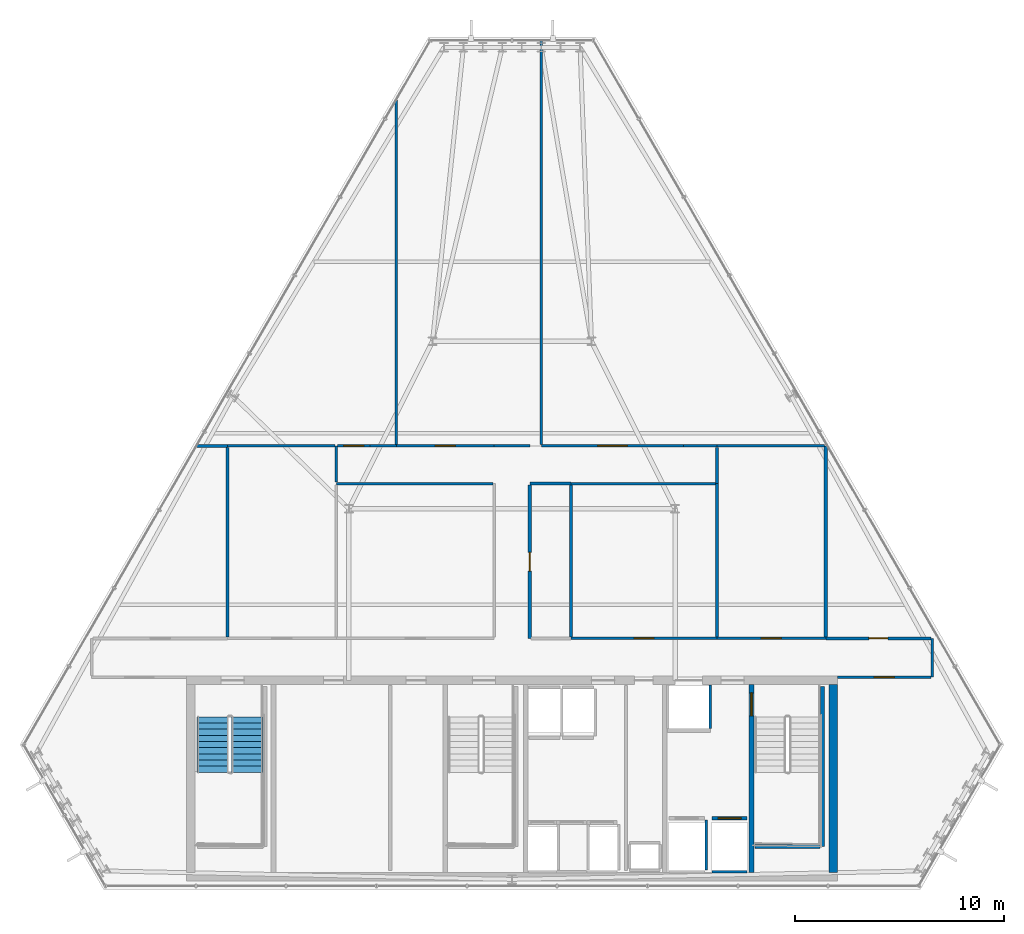
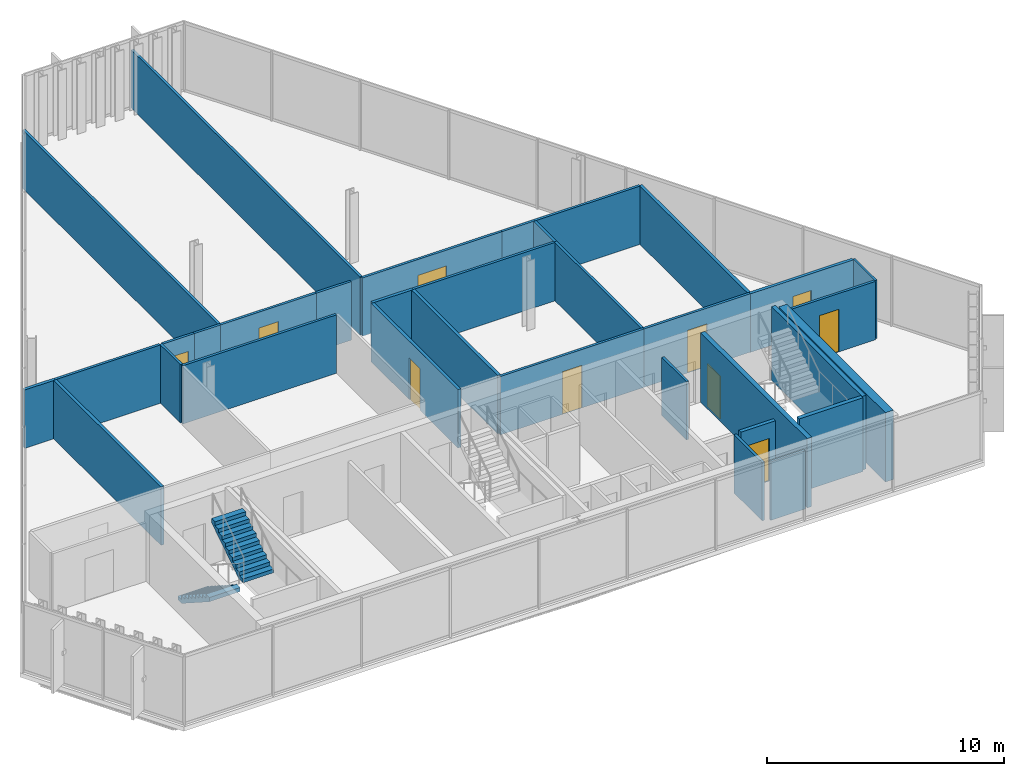
# One storey, part 25 of 30: 34 walls, 10 doors, 2 stair flights, 10 openings, 1 element without a shape of its own.
"""IFC4 building model written with IfcOpenShell, lengths in metres."""

from ifc_helpers import new_model, si_unit, direction, frame, frame_2d, origin, place, context, subcontext, project, spatial, polyline, rectangle, outline, extrude, material, layer, layer_set, type_object, element, fill, aggregate, save


model = new_model("IFC4")

# Units and contexts
model_context = context("Model", 3, precision=1e-05, world=origin(), true_north=direction((0.0, 1.0)))
body_context = subcontext(model_context, "Body", "Model", "MODEL_VIEW")
ifc_project = project(units=[si_unit("LENGTHUNIT", "METRE"), si_unit("AREAUNIT", "SQUARE_METRE"), si_unit("VOLUMEUNIT", "CUBIC_METRE"), si_unit("PLANEANGLEUNIT", "RADIAN"), si_unit("MASSUNIT", "GRAM", prefix="KILO")], contexts=[model_context])

# Site, building, storey
site_placement = place(None, origin())
site = spatial("IfcSite", under=ifc_project, at=site_placement, CompositionType="ELEMENT")
building_placement = place(site_placement, origin())
building = spatial("IfcBuilding", under=site, at=building_placement, Name="Ndaravel Arena Tower", CompositionType="ELEMENT")
storey_placement = place(building_placement, frame((0.0, 0.0, 221.800048828125)))
storey = spatial("IfcBuildingStorey", under=building, at=storey_placement, Name="L53", CompositionType="ELEMENT", Elevation=221.800048828125)

# Wall, opening, door
ifc_material_1 = material(Name="Concrete C50/60", Category="concrete")
ifc_layer_1 = layer(ifc_material_1, 0.219970703125)
ifc_layer_set_1 = layer_set([ifc_layer_1], Name="Concrete C50/60")
wall_type_1 = type_object("IfcWallType", Name="WALL-CORE-220", PredefinedType="SOLIDWALL", material=ifc_layer_set_1)
wall_1_placement = place(storey_placement, frame((53.449951171875, 5.800048828125, 0.0), z_axis=(0.0, 0.0, 1.0), x_axis=(0.0, 1.0, 0.0)))
wall_1 = element("IfcWall", 1, at=wall_1_placement, inside=storey, type_object=wall_type_1, Name="L53 Core Web Shear Wall 5", PredefinedType="SOLIDWALL", context=body_context, shape_type="SweptSolid", body=[
    extrude(rectangle(XDim=9.0, YDim=0.219970703125, at=frame_2d((4.5, 0.0))), origin(), (0.0, 0.0, 1.0), 3.579833984375),
])
opening_1_placement = place(wall_1_placement, frame((7.5, 0.0, 0.0)))
opening_1 = element("IfcOpeningElement", 2, at=opening_1_placement, cuts=wall_1, Name="Opening FD-01", PredefinedType="OPENING", context=body_context, shape_type="SweptSolid", body=[
    extrude(rectangle(XDim=1.10009765625, YDim=2.199951171875, at=frame_2d((0.550048828125, 1.10009765625))), frame((0.0, 0.10986328125, 0.0), z_axis=(0.0, -1.0, 0.0), x_axis=(1.0, 0.0, 0.0)), (0.0, 0.0, 1.0), 0.219970703125),
])
ifc_material_2 = material(Name="Steel S355", Category="steel")
door_type_1 = type_object("IfcDoorType", Name="DT-01-STAIR-1100", OperationType="SINGLE_SWING_LEFT", PredefinedType="DOOR", material=ifc_material_2)
door_1_placement = place(opening_1_placement, origin())
door_1 = element("IfcDoor", 3, at=door_1_placement, inside=storey, type_object=door_type_1, Name="L53 Firefighting Lobby to ST-3 Door", OperationType="SINGLE_SWING_LEFT", OverallHeight=2.199951171875, OverallWidth=1.10009765625, PredefinedType="DOOR", context=body_context, shape_type="SweptSolid", body=[
    extrude(rectangle(XDim=1.10009765625, YDim=2.199951171875, at=frame_2d((0.550048828125, 1.10009765625))), frame((0.0, 0.02490234375, 0.0), z_axis=(0.0, -1.0, 0.0), x_axis=(1.0, 0.0, 0.0)), (0.0, 0.0, 1.0), 0.050048828125),
])
fill(opening_1, door_1)

# Walls
ifc_material_3 = material(Name="Concrete C50/60", Category="concrete")
ifc_layer_2 = layer(ifc_material_3, 0.39990234375)
ifc_layer_set_2 = layer_set([ifc_layer_2], Name="Concrete C50/60")
wall_type_2 = type_object("IfcWallType", Name="WALL-CORE-400", PredefinedType="SOLIDWALL", material=ifc_layer_set_2)
wall_2_placement = place(storey_placement, frame((57.35009765625, 5.800048828125, 0.0), z_axis=(0.0, 0.0, 1.0), x_axis=(0.0, 1.0, 0.0)))
element("IfcWall", 4, at=wall_2_placement, inside=storey, type_object=wall_type_2, Name="L53 Core East Shear Wall", PredefinedType="SOLIDWALL", context=body_context, shape_type="SweptSolid", body=[
    extrude(rectangle(XDim=9.0, YDim=0.39990234375, at=frame_2d((4.5, 0.0))), origin(), (0.0, 0.0, 1.0), 3.579833984375),
])
ifc_material_4 = material(Name="Timber", Category="wood")
ifc_layer_3 = layer(ifc_material_4, 0.10009765625)
ifc_layer_set_3 = layer_set([ifc_layer_3], Name="Timber")
wall_type_3 = type_object("IfcWallType", Name="WALL-MOVABLE-100", PredefinedType="MOVABLE", material=ifc_layer_set_3)
wall_3_placement = place(storey_placement, frame((62.091064453125, 17.0, 0.0), z_axis=(0.0, 0.0, 1.0), x_axis=(0.0, -1.0, 0.0)))
element("IfcWall", 5, at=wall_3_placement, inside=storey, type_object=wall_type_3, Name="L53 Interior Partition 001", PredefinedType="MOVABLE", context=body_context, shape_type="SweptSolid", body=[
    extrude(rectangle(XDim=1.85009765625, YDim=0.10009765625, at=frame_2d((0.925048828125, 0.0))), origin(), (0.0, 0.0, 1.0), 3.010498046875),
])

# Wall, opening, door
ifc_material_5 = material(Name="Gypsum", Category="gypsum")
ifc_layer_4 = layer(ifc_material_5, 0.125)
ifc_layer_set_4 = layer_set([ifc_layer_4], Name="Gypsum")
wall_type_4 = type_object("IfcWallType", Name="WALL-PART-125", PredefinedType="PARTITIONING", material=ifc_layer_set_4)
wall_4_placement = place(storey_placement, frame((62.02587890625, 15.14990234375, 0.0), z_axis=(0.0, 0.0, 1.0), x_axis=(-1.0, 0.0, 0.0)))
wall_4 = element("IfcWall", 6, at=wall_4_placement, inside=storey, type_object=wall_type_4, Name="L53 Interior Partition 002", PredefinedType="PARTITIONING", context=body_context, shape_type="SweptSolid", body=[
    extrude(rectangle(XDim=4.475830078125, YDim=0.125, at=frame_2d((2.23779296875, 0.0))), origin(), (0.0, 0.0, 1.0), 3.010498046875),
])
opening_2_placement = place(wall_4_placement, frame((1.762939453125, 0.0, 0.0)))
opening_2 = element("IfcOpeningElement", 7, at=opening_2_placement, cuts=wall_4, Name="Opening ID-01", PredefinedType="OPENING", context=body_context, shape_type="SweptSolid", body=[
    extrude(rectangle(XDim=0.949951171875, YDim=2.199951171875, at=frame_2d((0.47509765625, 1.10009765625))), frame((0.0, 0.0625, 0.0), z_axis=(0.0, -1.0, 0.0), x_axis=(1.0, 0.0, 0.0)), (0.0, 0.0, 1.0), 0.125),
])
ifc_material_6 = material(Name="Timber", Category="wood")
door_type_2 = type_object("IfcDoorType", Name="DT-03-OFFICE-950", OperationType="SINGLE_SWING_LEFT", PredefinedType="DOOR", material=ifc_material_6)
door_2_placement = place(opening_2_placement, origin())
door_2 = element("IfcDoor", 8, at=door_2_placement, inside=storey, type_object=door_type_2, Name="L53 Design Bookshop Boutique Door", OperationType="SINGLE_SWING_LEFT", OverallHeight=2.199951171875, OverallWidth=0.949951171875, PredefinedType="DOOR", context=body_context, shape_type="SweptSolid", body=[
    extrude(rectangle(XDim=0.949951171875, YDim=2.199951171875, at=frame_2d((0.47509765625, 1.10009765625))), frame((0.0, 0.02490234375, 0.0), z_axis=(0.0, -1.0, 0.0), x_axis=(1.0, 0.0, 0.0)), (0.0, 0.0, 1.0), 0.050048828125),
])
fill(opening_2, door_2)

# Walls
wall_5_placement = place(storey_placement, frame((41.0849609375, 24.39990234375, 0.0), z_axis=(0.0, 0.0, 1.0), x_axis=(-1.0, 0.0, 0.0)))
element("IfcWall", 9, at=wall_5_placement, inside=storey, type_object=wall_type_4, Name="L53 Interior Partition 009", PredefinedType="PARTITIONING", context=body_context, shape_type="SweptSolid", body=[
    extrude(rectangle(XDim=7.48486328125, YDim=0.125, at=frame_2d((3.742431640625, 0.0))), origin(), (0.0, 0.0, 1.0), 3.010498046875),
])
wall_6_placement = place(storey_placement, frame((33.60009765625, 24.465087890625, 0.0), z_axis=(0.0, 0.0, 1.0), x_axis=(0.0, 1.0, 0.0)))
element("IfcWall", 10, at=wall_6_placement, inside=storey, type_object=wall_type_4, Name="L53 Interior Partition 010", PredefinedType="PARTITIONING", context=body_context, shape_type="SweptSolid", body=[
    extrude(rectangle(XDim=1.73486328125, YDim=0.125, at=frame_2d((0.867431640625, 0.0))), origin(), (0.0, 0.0, 1.0), 3.010498046875),
])

# Wall, opening, door
wall_7_placement = place(storey_placement, frame((33.6650390625, 26.199951171875, 0.0), z_axis=(0.0, 0.0, 1.0), x_axis=(1.0, 0.0, 0.0)))
wall_7 = element("IfcWall", 11, at=wall_7_placement, inside=storey, type_object=wall_type_4, Name="L53 Interior Partition 011", PredefinedType="PARTITIONING", context=body_context, shape_type="SweptSolid", body=[
    extrude(rectangle(XDim=1.534912109375, YDim=0.125, at=frame_2d((0.767578125, 0.0))), origin(), (0.0, 0.0, 1.0), 3.010498046875),
])
opening_3_placement = place(wall_7_placement, frame((0.29248046875, 0.0, 0.0)))
opening_3 = element("IfcOpeningElement", 12, at=opening_3_placement, cuts=wall_7, Name="Opening ID-01", PredefinedType="OPENING", context=body_context, shape_type="SweptSolid", body=[
    extrude(rectangle(XDim=0.949951171875, YDim=2.199951171875, at=frame_2d((0.47509765625, 1.10009765625))), frame((0.0, 0.0625, 0.0), z_axis=(0.0, -1.0, 0.0), x_axis=(1.0, 0.0, 0.0)), (0.0, 0.0, 1.0), 0.125),
])
door_3_placement = place(opening_3_placement, origin())
door_3 = element("IfcDoor", 13, at=door_3_placement, inside=storey, type_object=door_type_2, Name="L53 Innovation Showroom 3 Door", OperationType="SINGLE_SWING_LEFT", OverallHeight=2.199951171875, OverallWidth=0.949951171875, PredefinedType="DOOR", context=body_context, shape_type="SweptSolid", body=[
    extrude(rectangle(XDim=0.949951171875, YDim=2.199951171875, at=frame_2d((0.47509765625, 1.10009765625))), frame((0.0, 0.02490234375, 0.0), z_axis=(0.0, -1.0, 0.0), x_axis=(1.0, 0.0, 0.0)), (0.0, 0.0, 1.0), 0.050048828125),
])
fill(opening_3, door_3)

# Wall
wall_8_placement = place(storey_placement, frame((35.199951171875, 26.199951171875, 0.0), z_axis=(0.0, 0.0, 1.0), x_axis=(1.0, 0.0, 0.0)))
element("IfcWall", 14, at=wall_8_placement, inside=storey, type_object=wall_type_4, Name="L53 Interior Partition 012", PredefinedType="PARTITIONING", context=body_context, shape_type="SweptSolid", body=[
    extrude(rectangle(XDim=1.2744140625, YDim=0.125, at=frame_2d((0.63720703125, 0.0))), origin(), (0.0, 0.0, 1.0), 3.010498046875),
])

# Wall, opening, door
wall_9_placement = place(storey_placement, frame((36.474365234375, 26.199951171875, 0.0), z_axis=(0.0, 0.0, 1.0), x_axis=(1.0, 0.0, 0.0)))
wall_9 = element("IfcWall", 15, at=wall_9_placement, inside=storey, type_object=wall_type_4, Name="L53 Interior Partition 013", PredefinedType="PARTITIONING", context=body_context, shape_type="SweptSolid", body=[
    extrude(rectangle(XDim=4.675537109375, YDim=0.125, at=frame_2d((2.337890625, 0.0))), origin(), (0.0, 0.0, 1.0), 3.010498046875),
])
opening_4_placement = place(wall_9_placement, frame((1.86279296875, 0.0, 0.0)))
opening_4 = element("IfcOpeningElement", 16, at=opening_4_placement, cuts=wall_9, Name="Opening ID-01", PredefinedType="OPENING", context=body_context, shape_type="SweptSolid", body=[
    extrude(rectangle(XDim=0.949951171875, YDim=2.199951171875, at=frame_2d((0.47509765625, 1.10009765625))), frame((0.0, 0.0625, 0.0), z_axis=(0.0, -1.0, 0.0), x_axis=(1.0, 0.0, 0.0)), (0.0, 0.0, 1.0), 0.125),
])
door_4_placement = place(opening_4_placement, origin())
door_4 = element("IfcDoor", 17, at=door_4_placement, inside=storey, type_object=door_type_2, Name="L53 Publication Shop 4 Door", OperationType="SINGLE_SWING_LEFT", OverallHeight=2.199951171875, OverallWidth=0.949951171875, PredefinedType="DOOR", context=body_context, shape_type="SweptSolid", body=[
    extrude(rectangle(XDim=0.949951171875, YDim=2.199951171875, at=frame_2d((0.47509765625, 1.10009765625))), frame((0.0, 0.02490234375, 0.0), z_axis=(0.0, -1.0, 0.0), x_axis=(1.0, 0.0, 0.0)), (0.0, 0.0, 1.0), 0.050048828125),
])
fill(opening_4, door_4)

# Wall
wall_10_placement = place(storey_placement, frame((41.14990234375, 26.199951171875, 0.0), z_axis=(0.0, 0.0, 1.0), x_axis=(1.0, 0.0, 0.0)))
element("IfcWall", 18, at=wall_10_placement, inside=storey, type_object=wall_type_4, Name="L53 Interior Partition 014", PredefinedType="PARTITIONING", context=body_context, shape_type="SweptSolid", body=[
    extrude(rectangle(XDim=1.7001953125, YDim=0.125, at=frame_2d((0.85009765625, 0.0))), origin(), (0.0, 0.0, 1.0), 3.010498046875),
])

# Wall, opening, door
wall_11_placement = place(storey_placement, frame((43.39990234375, 26.199951171875, 0.0), z_axis=(0.0, 0.0, 1.0), x_axis=(1.0, 0.0, 0.0)))
wall_11 = element("IfcWall", 19, at=wall_11_placement, inside=storey, type_object=wall_type_4, Name="L53 Interior Partition 015", PredefinedType="PARTITIONING", context=body_context, shape_type="SweptSolid", body=[
    extrude(rectangle(XDim=6.800048828125, YDim=0.125, at=frame_2d((3.39990234375, 0.0))), origin(), (0.0, 0.0, 1.0), 3.010498046875),
])
opening_5_placement = place(wall_11_placement, frame((2.699951171875, 0.0, 0.0)))
opening_5 = element("IfcOpeningElement", 20, at=opening_5_placement, cuts=wall_11, Name="Opening ID-02", PredefinedType="OPENING", context=body_context, shape_type="SweptSolid", body=[
    extrude(rectangle(XDim=1.39990234375, YDim=2.199951171875, at=frame_2d((0.699951171875, 1.10009765625))), frame((0.0, 0.0625, 0.0), z_axis=(0.0, -1.0, 0.0), x_axis=(1.0, 0.0, 0.0)), (0.0, 0.0, 1.0), 0.125),
])
ifc_material_7 = material(Name="Timber", Category="wood")
door_type_3 = type_object("IfcDoorType", Name="DT-04-SUITE-1400", OperationType="DOUBLE_DOOR_SINGLE_SWING", PredefinedType="DOOR", material=ifc_material_7)
door_5_placement = place(opening_5_placement, origin())
door_5 = element("IfcDoor", 21, at=door_5_placement, inside=storey, type_object=door_type_3, Name="L53 Executive Dining Lounge 4 Door", OperationType="SINGLE_SWING_RIGHT", OverallHeight=2.199951171875, OverallWidth=1.39990234375, PredefinedType="DOOR", context=body_context, shape_type="SweptSolid", body=[
    extrude(rectangle(XDim=1.39990234375, YDim=2.199951171875, at=frame_2d((0.699951171875, 1.10009765625))), frame((0.0, 0.02490234375, 0.0), z_axis=(0.0, -1.0, 0.0), x_axis=(1.0, 0.0, 0.0)), (0.0, 0.0, 1.0), 0.050048828125),
])
fill(opening_5, door_5)

# Walls
wall_12_placement = place(storey_placement, frame((50.199951171875, 26.199951171875, 0.0), z_axis=(0.0, 0.0, 1.0), x_axis=(1.0, 0.0, 0.0)))
element("IfcWall", 22, at=wall_12_placement, inside=storey, type_object=wall_type_4, Name="L53 Interior Partition 016", PredefinedType="PARTITIONING", context=body_context, shape_type="SweptSolid", body=[
    extrude(rectangle(XDim=1.60009765625, YDim=0.125, at=frame_2d((0.800048828125, 0.0))), origin(), (0.0, 0.0, 1.0), 3.010498046875),
])
wall_13_placement = place(storey_placement, frame((51.800048828125, 26.135009765625, 0.0), z_axis=(0.0, 0.0, 1.0), x_axis=(0.0, -1.0, 0.0)))
element("IfcWall", 23, at=wall_13_placement, inside=storey, type_object=wall_type_4, Name="L53 Interior Partition 017", PredefinedType="PARTITIONING", context=body_context, shape_type="SweptSolid", body=[
    extrude(rectangle(XDim=1.735107421875, YDim=0.125, at=frame_2d((0.86767578125, 0.0))), origin(), (0.0, 0.0, 1.0), 3.010498046875),
])
wall_14_placement = place(storey_placement, frame((51.735107421875, 24.39990234375, 0.0), z_axis=(0.0, 0.0, 1.0), x_axis=(-1.0, 0.0, 0.0)))
element("IfcWall", 24, at=wall_14_placement, inside=storey, type_object=wall_type_4, Name="L53 Interior Partition 018", PredefinedType="PARTITIONING", context=body_context, shape_type="SweptSolid", body=[
    extrude(rectangle(XDim=6.916015625, YDim=0.125, at=frame_2d((3.4580078125, 0.0))), origin(), (0.0, 0.0, 1.0), 3.010498046875),
])

# Wall, opening, door
wall_15_placement = place(storey_placement, frame((44.819091796875, 17.0, 0.0), z_axis=(0.0, 0.0, 1.0), x_axis=(1.0, 0.0, 0.0)))
wall_15 = element("IfcWall", 25, at=wall_15_placement, inside=storey, type_object=wall_type_4, Name="L53 Interior Partition 022", PredefinedType="PARTITIONING", context=body_context, shape_type="SweptSolid", body=[
    extrude(rectangle(XDim=6.98095703125, YDim=0.125, at=frame_2d((3.490478515625, 0.0))), origin(), (0.0, 0.0, 1.0), 3.010498046875),
])
opening_6_placement = place(wall_15_placement, frame((3.015380859375, 0.0, 0.0)))
opening_6 = element("IfcOpeningElement", 26, at=opening_6_placement, cuts=wall_15, Name="Opening ID-01", PredefinedType="OPENING", context=body_context, shape_type="SweptSolid", body=[
    extrude(rectangle(XDim=0.949951171875, YDim=2.199951171875, at=frame_2d((0.47509765625, 1.10009765625))), frame((0.0, 0.0625, 0.0), z_axis=(0.0, -1.0, 0.0), x_axis=(1.0, 0.0, 0.0)), (0.0, 0.0, 1.0), 0.125),
])
door_6_placement = place(opening_6_placement, origin())
door_6 = element("IfcDoor", 27, at=door_6_placement, inside=storey, type_object=door_type_2, Name="L53 Hospitality Sitting Room 2 Door", OperationType="SINGLE_SWING_RIGHT", OverallHeight=2.199951171875, OverallWidth=0.949951171875, PredefinedType="DOOR", context=body_context, shape_type="SweptSolid", body=[
    extrude(rectangle(XDim=0.949951171875, YDim=2.199951171875, at=frame_2d((0.47509765625, 1.10009765625))), frame((0.0, 0.02490234375, 0.0), z_axis=(0.0, -1.0, 0.0), x_axis=(1.0, 0.0, 0.0)), (0.0, 0.0, 1.0), 0.050048828125),
])
fill(opening_6, door_6)

wall_16_placement = place(storey_placement, frame((51.800048828125, 17.0, 0.0), z_axis=(0.0, 0.0, 1.0), x_axis=(1.0, 0.0, 0.0)))
wall_16 = element("IfcWall", 28, at=wall_16_placement, inside=storey, type_object=wall_type_4, Name="L53 Interior Partition 023", PredefinedType="PARTITIONING", context=body_context, shape_type="SweptSolid", body=[
    extrude(rectangle(XDim=5.199951171875, YDim=0.125, at=frame_2d((2.60009765625, 0.0))), origin(), (0.0, 0.0, 1.0), 3.010498046875),
])
opening_7_placement = place(wall_16_placement, frame((2.125, 0.0, 0.0)))
opening_7 = element("IfcOpeningElement", 29, at=opening_7_placement, cuts=wall_16, Name="Opening ID-01", PredefinedType="OPENING", context=body_context, shape_type="SweptSolid", body=[
    extrude(rectangle(XDim=0.949951171875, YDim=2.199951171875, at=frame_2d((0.47509765625, 1.10009765625))), frame((0.0, 0.0625, 0.0), z_axis=(0.0, -1.0, 0.0), x_axis=(1.0, 0.0, 0.0)), (0.0, 0.0, 1.0), 0.125),
])
door_7_placement = place(opening_7_placement, origin())
door_7 = element("IfcDoor", 30, at=door_7_placement, inside=storey, type_object=door_type_2, Name="L53 Refreshment Kiosk 2 Door", OperationType="SINGLE_SWING_RIGHT", OverallHeight=2.199951171875, OverallWidth=0.949951171875, PredefinedType="DOOR", context=body_context, shape_type="SweptSolid", body=[
    extrude(rectangle(XDim=0.949951171875, YDim=2.199951171875, at=frame_2d((0.47509765625, 1.10009765625))), frame((0.0, 0.02490234375, 0.0), z_axis=(0.0, -1.0, 0.0), x_axis=(1.0, 0.0, 0.0)), (0.0, 0.0, 1.0), 0.050048828125),
])
fill(opening_7, door_7)

# Walls
wall_17_placement = place(storey_placement, frame((51.800048828125, 24.39990234375, 0.0), z_axis=(0.0, 0.0, 1.0), x_axis=(0.0, -1.0, 0.0)))
element("IfcWall", 31, at=wall_17_placement, inside=storey, type_object=wall_type_4, Name="L53 Interior Partition 030", PredefinedType="PARTITIONING", context=body_context, shape_type="SweptSolid", body=[
    extrude(rectangle(XDim=7.3349609375, YDim=0.125, at=frame_2d((3.66748046875, 0.0))), origin(), (0.0, 0.0, 1.0), 3.010498046875),
])
for number, where, z_axis, x_axis, name in (
    (32, (28.39990234375, 26.199951171875, 0.0), (0.0, 0.0, 1.0), (1.0, 0.0, 0.0), "L53 Interior Partition 031"),
    (33, (51.800048828125, 26.199951171875, 0.0), (0.0, 0.0, 1.0), (1.0, 0.0, 0.0), "L53 Interior Partition 032"),
):
    element("IfcWall", number, at=place(storey_placement, frame(where, z_axis=z_axis, x_axis=x_axis)), inside=storey, type_object=wall_type_4, Name=name, PredefinedType="PARTITIONING", context=body_context, shape_type="SweptSolid", body=[
        extrude(rectangle(XDim=5.135009765625, YDim=0.125, at=frame_2d((2.5673828125, 0.0))), origin(), (0.0, 0.0, 1.0), 3.010498046875),
    ])
wall_18_placement = place(storey_placement, frame((36.474365234375, 42.76513671875, 0.0), z_axis=(0.0, 0.0, 1.0), x_axis=(0.0, -1.0, 0.0)))
element("IfcWall", 34, at=wall_18_placement, inside=storey, type_object=wall_type_4, Name="L53 Interior Partition 033", PredefinedType="PARTITIONING", context=body_context, shape_type="SweptSolid", body=[
    extrude(rectangle(XDim=16.500244140625, YDim=0.125, at=frame_2d((8.25, 0.0))), origin(), (0.0, 0.0, 1.0), 3.010498046875),
])
wall_19_placement = place(storey_placement, frame((43.39990234375, 26.264892578125, 0.0), z_axis=(0.0, 0.0, 1.0), x_axis=(0.0, 1.0, 0.0)))
element("IfcWall", 35, at=wall_19_placement, inside=storey, type_object=wall_type_4, Name="L53 Interior Partition 034", PredefinedType="PARTITIONING", context=body_context, shape_type="SweptSolid", body=[
    extrude(rectangle(XDim=19.312744140625, YDim=0.125, at=frame_2d((9.65625, 0.0))), origin(), (0.0, 0.0, 1.0), 3.010498046875),
])
ifc_material_8 = material(Name="Concrete C40/50", Category="concrete")
ifc_layer_5 = layer(ifc_material_8, 0.1201171875)
ifc_layer_set_5 = layer_set([ifc_layer_5], Name="Concrete C40/50")
wall_type_5 = type_object("IfcWallType", Name="WALL-SHAFT-120", PredefinedType="SOLIDWALL", material=ifc_layer_set_5)
wall_20_placement = place(storey_placement, frame((51.27490234375, 5.929931640625, 0.0), z_axis=(0.0, 0.0, 1.0), x_axis=(0.0, 1.0, 0.0)))
element("IfcWall", 36, at=wall_20_placement, inside=storey, type_object=wall_type_5, Name="L53 FFL-1 Shaft Side R Wall", PredefinedType="SOLIDWALL", context=body_context, shape_type="SweptSolid", body=[
    extrude(rectangle(XDim=2.380126953125, YDim=0.1201171875, at=frame_2d((1.18994140625, 0.0))), origin(), (0.0, 0.0, 1.0), 3.010498046875),
])
wall_21_placement = place(storey_placement, frame((51.554931640625, 5.840087890625, 0.0), z_axis=(0.0, 0.0, 1.0), x_axis=(1.0, 0.0, 0.0)))
element("IfcWall", 37, at=wall_21_placement, inside=storey, type_object=wall_type_5, Name="L53 FFL-2 Shaft Rear Wall", PredefinedType="SOLIDWALL", context=body_context, shape_type="SweptSolid", body=[
    extrude(rectangle(XDim=1.690185546875, YDim=0.1201171875, at=frame_2d((0.84521484375, 0.0))), origin(), (0.0, 0.0, 1.0), 3.010498046875),
])
wall_22_placement = place(storey_placement, frame((51.47998046875, 12.68994140625, 0.0), z_axis=(0.0, 0.0, 1.0), x_axis=(0.0, 1.0, 0.0)))
element("IfcWall", 38, at=wall_22_placement, inside=storey, type_object=wall_type_5, Name="L53 SVL-1 Shaft E Wall", PredefinedType="SOLIDWALL", context=body_context, shape_type="SweptSolid", body=[
    extrude(rectangle(XDim=2.070068359375, YDim=0.1201171875, at=frame_2d((1.03515625, 0.0))), origin(), (0.0, 0.0, 1.0), 3.010498046875),
])
ifc_material_9 = material(Name="Concrete C40/50", Category="concrete")
ifc_layer_6 = layer(ifc_material_9, 0.199951171875)
ifc_layer_set_6 = layer_set([ifc_layer_6], Name="Concrete C40/50")
wall_type_6 = type_object("IfcWallType", Name="WALL-SHAFT-200", PredefinedType="SOLIDWALL", material=ifc_layer_set_6)
wall_23_placement = place(storey_placement, frame((56.840087890625, 14.699951171875, 0.0), z_axis=(0.0, 0.0, 1.0), x_axis=(0.0, -1.0, 0.0)))
element("IfcWall", 39, at=wall_23_placement, inside=storey, type_object=wall_type_6, Name="L53 ST-3 Structural Shaft Wall Right", PredefinedType="SOLIDWALL", context=body_context, shape_type="SweptSolid", body=[
    extrude(rectangle(XDim=7.64990234375, YDim=0.199951171875, at=frame_2d((3.824951171875, 0.0))), origin(), (0.0, 0.0, 1.0), 3.800048828125),
])
wall_24_placement = place(storey_placement, frame((53.6201171875, 7.050048828125, 0.0), z_axis=(0.0, 0.0, 1.0), x_axis=(1.0, 0.0, 0.0)))
element("IfcWall", 40, at=wall_24_placement, inside=storey, type_object=wall_type_6, Name="L53 ST-3 Structural Shaft Wall Far", PredefinedType="SOLIDWALL", context=body_context, shape_type="SweptSolid", body=[
    extrude(rectangle(XDim=3.114990234375, YDim=0.199951171875, at=frame_2d((1.5576171875, 0.0))), origin(), (0.0, 0.0, 1.0), 3.800048828125),
])

# Wall, opening, door
wall_25_placement = place(storey_placement, frame((51.554931640625, 8.39990234375, 0.0), z_axis=(0.0, 0.0, 1.0), x_axis=(1.0, 0.0, 0.0)))
wall_25 = element("IfcWall", 41, at=wall_25_placement, inside=storey, type_object=wall_type_6, Name="L53 FFL-2 Shaft Landing Wall", PredefinedType="SOLIDWALL", context=body_context, shape_type="SweptSolid", body=[
    extrude(rectangle(XDim=1.690185546875, YDim=0.179931640625, at=frame_2d((0.84521484375, 0.0))), origin(), (0.0, 0.0, 1.0), 3.010498046875),
])
opening_8_placement = place(wall_25_placement, frame((0.294921875, 0.0, 0.0)))
opening_8 = element("IfcOpeningElement", 42, at=opening_8_placement, cuts=wall_25, Name="Opening LD-01", PredefinedType="OPENING", context=body_context, shape_type="SweptSolid", body=[
    extrude(rectangle(XDim=1.10009765625, YDim=2.199951171875, at=frame_2d((0.550048828125, 1.10009765625))), frame((0.0, 0.08984375, 0.0), z_axis=(0.0, -1.0, 0.0), x_axis=(1.0, 0.0, 0.0)), (0.0, 0.0, 1.0), 0.179931640625),
])
ifc_material_10 = material(Name="Steel S355", Category="steel")
door_type_4 = type_object("IfcDoorType", Name="DT-06-LIFT-1100", OperationType="SLIDING_TO_LEFT", PredefinedType="DOOR", material=ifc_material_10)
door_8_placement = place(opening_8_placement, origin())
door_8 = element("IfcDoor", 43, at=door_8_placement, inside=storey, type_object=door_type_4, Name="L53 Lift FFL-2 Sliding Landing Door", OperationType="SLIDING_TO_LEFT", OverallHeight=2.199951171875, OverallWidth=1.10009765625, PredefinedType="DOOR", context=body_context, shape_type="SweptSolid", body=[
    extrude(rectangle(XDim=1.10009765625, YDim=2.199951171875, at=frame_2d((0.550048828125, 1.10009765625))), frame((0.0, 0.02490234375, 0.0), z_axis=(0.0, -1.0, 0.0), x_axis=(1.0, 0.0, 0.0)), (0.0, 0.0, 1.0), 0.050048828125),
])
fill(opening_8, door_8)

# Wall
ifc_material_11 = material(Name="Masonry", Category="masonry")
ifc_layer_7 = layer(ifc_material_11, 0.14990234375)
ifc_layer_set_7 = layer_set([ifc_layer_7], Name="Masonry")
wall_type_7 = type_object("IfcWallType", Name="WALL-WET-150", PredefinedType="PARTITIONING", material=ifc_layer_set_7)
wall_26_placement = place(storey_placement, frame((44.819091796875, 24.39990234375, 0.0), z_axis=(0.0, 0.0, 1.0), x_axis=(-1.0, 0.0, 0.0)))
element("IfcWall", 44, at=wall_26_placement, inside=storey, type_object=wall_type_7, Name="L53 Interior Partition 019", PredefinedType="PARTITIONING", context=body_context, shape_type="SweptSolid", body=[
    extrude(rectangle(XDim=1.968994140625, YDim=0.14990234375, at=frame_2d((0.984375, 0.0))), origin(), (0.0, 0.0, 1.0), 3.010498046875),
])

# Wall, opening, door
wall_27_placement = place(storey_placement, frame((42.85009765625, 24.3349609375, 0.0), z_axis=(0.0, 0.0, 1.0), x_axis=(0.0, -1.0, 0.0)))
wall_27 = element("IfcWall", 45, at=wall_27_placement, inside=storey, type_object=wall_type_7, Name="L53 Interior Partition 020", PredefinedType="PARTITIONING", context=body_context, shape_type="SweptSolid", body=[
    extrude(rectangle(XDim=7.3349609375, YDim=0.14990234375, at=frame_2d((3.66748046875, 0.0))), origin(), (0.0, 0.0, 1.0), 3.010498046875),
])
opening_9_placement = place(wall_27_placement, frame((3.217529296875, 0.0, 0.0)))
opening_9 = element("IfcOpeningElement", 46, at=opening_9_placement, cuts=wall_27, Name="Opening WD-01", PredefinedType="OPENING", context=body_context, shape_type="SweptSolid", body=[
    extrude(rectangle(XDim=0.89990234375, YDim=2.14990234375, at=frame_2d((0.449951171875, 1.074951171875))), frame((0.0, 0.074951171875, 0.0), z_axis=(0.0, -1.0, 0.0), x_axis=(1.0, 0.0, 0.0)), (0.0, 0.0, 1.0), 0.14990234375),
])
ifc_material_12 = material(Name="Timber", Category="wood")
door_type_5 = type_object("IfcDoorType", Name="DT-05-WC-900", OperationType="SINGLE_SWING_LEFT", PredefinedType="DOOR", material=ifc_material_12)
door_9_placement = place(opening_9_placement, origin())
door_9 = element("IfcDoor", 47, at=door_9_placement, inside=storey, type_object=door_type_5, Name="L53 Female & Accessible Restroom Door", OperationType="SINGLE_SWING_LEFT", OverallHeight=2.14990234375, OverallWidth=0.89990234375, PredefinedType="DOOR", context=body_context, shape_type="SweptSolid", body=[
    extrude(rectangle(XDim=0.89990234375, YDim=2.14990234375, at=frame_2d((0.449951171875, 1.074951171875))), frame((0.0, 0.02490234375, 0.0), z_axis=(0.0, -1.0, 0.0), x_axis=(1.0, 0.0, 0.0)), (0.0, 0.0, 1.0), 0.050048828125),
])
fill(opening_9, door_9)

wall_28_placement = place(storey_placement, frame((57.0, 17.0, 0.0), z_axis=(0.0, 0.0, 1.0), x_axis=(1.0, 0.0, 0.0)))
wall_28 = element("IfcWall", 48, at=wall_28_placement, inside=storey, type_object=wall_type_7, Name="L53 Interior Partition 024", PredefinedType="PARTITIONING", context=body_context, shape_type="SweptSolid", body=[
    extrude(rectangle(XDim=5.02587890625, YDim=0.14990234375, at=frame_2d((2.512939453125, 0.0))), origin(), (0.0, 0.0, 1.0), 3.010498046875),
])
opening_10_placement = place(wall_28_placement, frame((2.06298828125, 0.0, 0.0)))
opening_10 = element("IfcOpeningElement", 49, at=opening_10_placement, cuts=wall_28, Name="Opening WD-01", PredefinedType="OPENING", context=body_context, shape_type="SweptSolid", body=[
    extrude(rectangle(XDim=0.89990234375, YDim=2.14990234375, at=frame_2d((0.449951171875, 1.074951171875))), frame((0.0, 0.074951171875, 0.0), z_axis=(0.0, -1.0, 0.0), x_axis=(1.0, 0.0, 0.0)), (0.0, 0.0, 1.0), 0.14990234375),
])
door_10_placement = place(opening_10_placement, origin())
door_10 = element("IfcDoor", 50, at=door_10_placement, inside=storey, type_object=door_type_5, Name="L53 Male Staff & Visitor Restroom Door", OperationType="SINGLE_SWING_RIGHT", OverallHeight=2.14990234375, OverallWidth=0.89990234375, PredefinedType="DOOR", context=body_context, shape_type="SweptSolid", body=[
    extrude(rectangle(XDim=0.89990234375, YDim=2.14990234375, at=frame_2d((0.449951171875, 1.074951171875))), frame((0.0, 0.02490234375, 0.0), z_axis=(0.0, -1.0, 0.0), x_axis=(1.0, 0.0, 0.0)), (0.0, 0.0, 1.0), 0.050048828125),
])
fill(opening_10, door_10)

# Walls
wall_29_placement = place(storey_placement, frame((57.0, 17.06494140625, 0.0), z_axis=(0.0, 0.0, 1.0), x_axis=(0.0, 1.0, 0.0)))
element("IfcWall", 51, at=wall_29_placement, inside=storey, type_object=wall_type_7, Name="L53 Interior Partition 025", PredefinedType="PARTITIONING", context=body_context, shape_type="SweptSolid", body=[
    extrude(rectangle(XDim=9.135009765625, YDim=0.14990234375, at=frame_2d((4.5673828125, 0.0))), origin(), (0.0, 0.0, 1.0), 3.010498046875),
])
wall_30_placement = place(storey_placement, frame((26.910400390625, 26.199951171875, 0.0), z_axis=(0.0, 0.0, 1.0), x_axis=(1.0, 0.0, 0.0)))
element("IfcWall", 52, at=wall_30_placement, inside=storey, type_object=wall_type_7, Name="L53 Interior Partition 026", PredefinedType="PARTITIONING", context=body_context, shape_type="SweptSolid", body=[
    extrude(rectangle(XDim=1.489501953125, YDim=0.14990234375, at=frame_2d((0.74462890625, 0.0))), origin(), (0.0, 0.0, 1.0), 3.010498046875),
])
wall_31_placement = place(storey_placement, frame((28.39990234375, 26.135009765625, 0.0), z_axis=(0.0, 0.0, 1.0), x_axis=(0.0, -1.0, 0.0)))
element("IfcWall", 53, at=wall_31_placement, inside=storey, type_object=wall_type_7, Name="L53 Interior Partition 027", PredefinedType="PARTITIONING", context=body_context, shape_type="SweptSolid", body=[
    extrude(rectangle(XDim=9.070068359375, YDim=0.14990234375, at=frame_2d((4.53515625, 0.0))), origin(), (0.0, 0.0, 1.0), 3.010498046875),
])
wall_32_placement = place(storey_placement, frame((44.819091796875, 24.3349609375, 0.0), z_axis=(0.0, 0.0, 1.0), x_axis=(0.0, -1.0, 0.0)))
element("IfcWall", 54, at=wall_32_placement, inside=storey, type_object=wall_type_7, Name="L53 Interior Partition 029", PredefinedType="PARTITIONING", context=body_context, shape_type="SweptSolid", body=[
    extrude(rectangle(XDim=7.27001953125, YDim=0.14990234375, at=frame_2d((3.635009765625, 0.0))), origin(), (0.0, 0.0, 1.0), 3.010498046875),
])

# Stair, stair flights
ifc_material_13 = material(Name="Concrete C40/50", Category="concrete")
stair_type = type_object("IfcStairType", Name="STAIR-CORE-HT", PredefinedType="HALF_TURN_STAIR", material=ifc_material_13)
stair_placement = place(storey_placement, origin())
stair = element("IfcStair", 55, at=stair_placement, inside=storey, type_object=stair_type, Name="L53 ST-1", PredefinedType="HALF_TURN_STAIR")
ifc_material_14 = material(Name="Concrete C40/50", Category="concrete")
stair_flight_type = type_object("IfcStairFlightType", Name="SFLIGHT-CORE-1680", PredefinedType="STRAIGHT", material=ifc_material_14)
stair_flight_1_placement = place(storey_placement, frame((27.699951171875, 13.25, 0.0), z_axis=(0.0, 0.0, 1.0), x_axis=(0.0, -1.0, 0.0)))
stair_flight_1 = element("IfcStairFlight", 56, at=stair_flight_1_placement, type_object=stair_flight_type, Name="ST-1 flight 1", NumberOfRisers=10, NumberOfTreads=9, PredefinedType="STRAIGHT", RiserHeight=0.19, TreadLength=0.295, context=body_context, shape_type="SweptSolid", body=[
    extrude(outline(polyline([(0.0, 0.0), (0.0, 0.18994140625), (0.294921875, 0.18994140625), (0.294921875, 0.3798828125), (0.590087890625, 0.3798828125), (0.590087890625, 0.570068359375), (0.885009765625, 0.570068359375), (0.885009765625, 0.760009765625), (1.179931640625, 0.760009765625), (1.179931640625, 0.949951171875), (1.47509765625, 0.949951171875), (1.47509765625, 1.139892578125), (1.77001953125, 1.139892578125), (1.77001953125, 1.330078125), (2.06494140625, 1.330078125), (2.06494140625, 1.52001953125), (2.360107421875, 1.52001953125), (2.360107421875, 1.7099609375), (2.655029296875, 1.7099609375), (2.655029296875, 1.89990234375), (2.655029296875, 1.49609375), (0.332275390625, 0.0), (0.0, 0.0)])), frame((0.0, 0.75, 0.0), z_axis=(0.0, -1.0, 0.0), x_axis=(1.0, 0.0, 0.0)), (0.0, 0.0, 1.0), 1.5),
])
stair_flight_2_placement = place(storey_placement, frame((29.340087890625, 10.594970703125, 1.89990234375), z_axis=(0.0, 0.0, 1.0), x_axis=(0.0, 1.0, 0.0)))
stair_flight_2 = element("IfcStairFlight", 57, at=stair_flight_2_placement, type_object=stair_flight_type, Name="ST-1 flight 2", NumberOfRisers=10, NumberOfTreads=9, PredefinedType="STRAIGHT", RiserHeight=0.19, TreadLength=0.295, context=body_context, shape_type="SweptSolid", body=[
    extrude(outline(polyline([(0.0, 0.0), (0.0, 0.18994140625), (0.294921875, 0.18994140625), (0.294921875, 0.3798828125), (0.590087890625, 0.3798828125), (0.590087890625, 0.570068359375), (0.885009765625, 0.570068359375), (0.885009765625, 0.760009765625), (1.179931640625, 0.760009765625), (1.179931640625, 0.949951171875), (1.47509765625, 0.949951171875), (1.47509765625, 1.139892578125), (1.77001953125, 1.139892578125), (1.77001953125, 1.330078125), (2.06494140625, 1.330078125), (2.06494140625, 1.52001953125), (2.360107421875, 1.52001953125), (2.360107421875, 1.7099609375), (2.655029296875, 1.7099609375), (2.655029296875, 1.89990234375), (2.655029296875, 1.49609375), (0.332275390625, 0.0), (0.0, 0.0)])), frame((0.0, 0.75, 0.0), z_axis=(0.0, -1.0, 0.0), x_axis=(1.0, 0.0, 0.0)), (0.0, 0.0, 1.0), 1.5),
])
aggregate(stair, [stair_flight_1, stair_flight_2])

save(model, "model.ifc")
